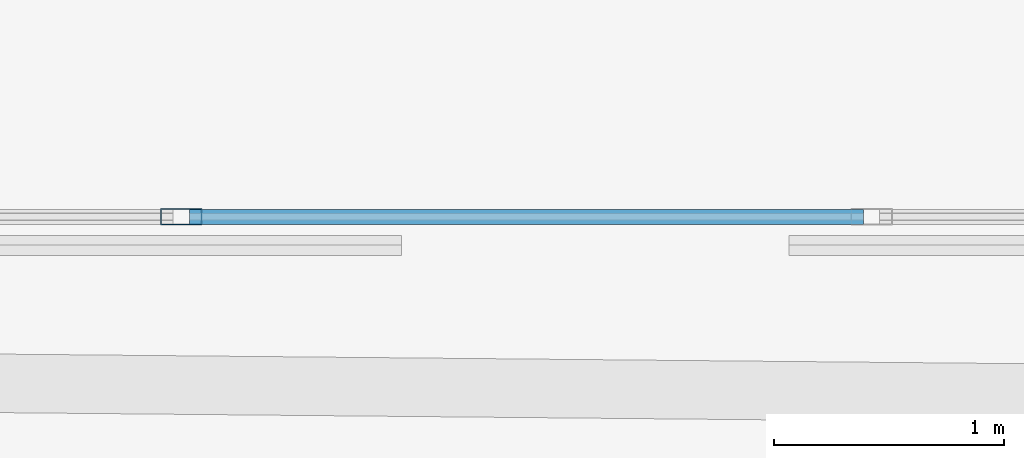
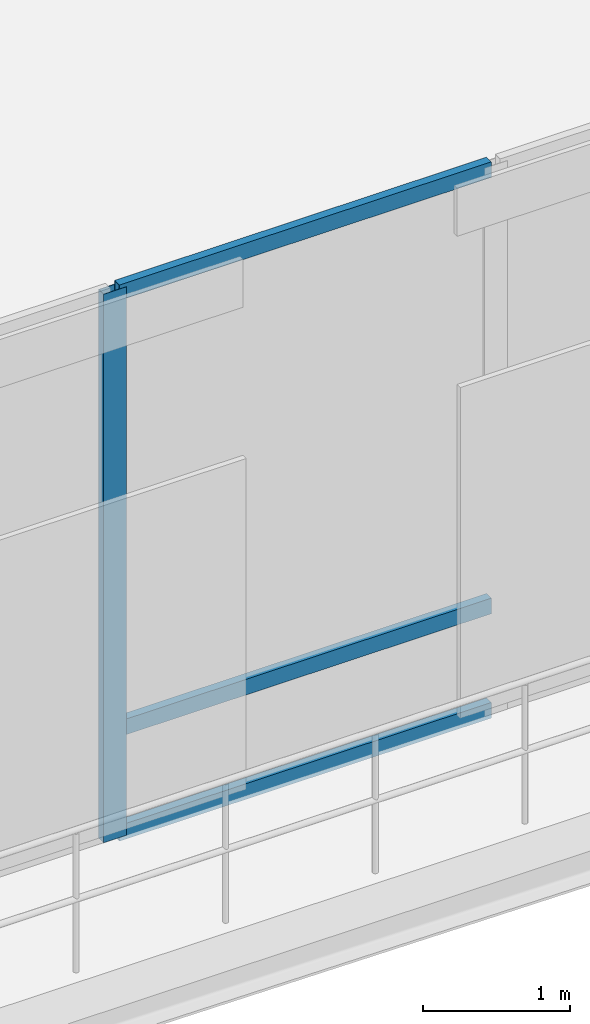
# One storey, part 17 of 48: 4 members, 1 element without a shape of its own.
"""IFC4 building model written with IfcOpenShell, lengths in metres."""

from ifc_helpers import new_model, si_unit, direction, frame, origin, origin_2d, place, context, subcontext, project, spatial, hollow_rectangle, extrude, material, layer, layer_set, material_profile, profile_set, type_object, element, aggregate, save


model = new_model("IFC4")

# Units and contexts
model_context = context("Model", 3, precision=1e-05, world=origin(), true_north=direction((0.0, 1.0)))
body_context = subcontext(model_context, "Body", "Model", "MODEL_VIEW")
ifc_project = project(units=[si_unit("LENGTHUNIT", "METRE"), si_unit("AREAUNIT", "SQUARE_METRE"), si_unit("VOLUMEUNIT", "CUBIC_METRE"), si_unit("PLANEANGLEUNIT", "RADIAN"), si_unit("MASSUNIT", "GRAM", prefix="KILO")], contexts=[model_context])

# Site, building, storey
site_placement = place(None, origin())
site = spatial("IfcSite", under=ifc_project, at=site_placement, CompositionType="ELEMENT")
building_placement = place(site_placement, origin())
building = spatial("IfcBuilding", under=site, at=building_placement, Name="Caelvoria Tower", CompositionType="ELEMENT")
storey_placement = place(building_placement, frame((0.0, 0.0, 90.39990234375)))
storey = spatial("IfcBuildingStorey", under=building, at=storey_placement, Name="L23", CompositionType="ELEMENT", Elevation=90.39990234375)

# Curtain wall, members
ifc_material_1 = material(Name="Anodised Bronze Aluminium and Low-E Glass", Category="aluminium")
ifc_layer = layer(ifc_material_1, 0.2099609375, Name="Anodised Bronze Aluminium and Low-E Glass")
ifc_layer_set = layer_set([ifc_layer], Name="CW System 3 Sky Lobby Double-Height Acoustic Facade - Anodised Bronze Aluminium and Low-E Glass")
curtain_wall_type = type_object("IfcCurtainWallType", Name="CW System 3 Sky Lobby Double-Height Acoustic Facade", PredefinedType="NOTDEFINED", material=ifc_layer_set)
curtain_wall_placement = place(storey_placement, origin())
curtain_wall = element("IfcCurtainWall", 1, at=curtain_wall_placement, inside=storey, type_object=curtain_wall_type, Name="CW-03 Curtain Wall L23-E0", PredefinedType="NOTDEFINED")
ifc_material_2 = material(Name="Anodised Bronze Architectural Aluminium", Category="aluminium")
ifc_material_profile_1 = material_profile(ifc_material_2, hollow_rectangle(XDim=0.070068359375, YDim=0.179931640625, WallThickness=0.00390625, at=origin_2d()), Name="Anodised Bronze Architectural Aluminium")
ifc_profile_set_1 = profile_set([ifc_material_profile_1], Name="CW_MULL_70X180 - Anodised Bronze Architectural Aluminium")
member_type_1 = type_object("IfcMemberType", Name="Curtain Wall Mullion 70x180 Bronze Aluminium", PredefinedType="MULLION", material=ifc_profile_set_1)
member_1_placement = place(storey_placement, frame((53.4873046875, 11.0966796875, 0.0), z_axis=(0.0, 0.0, 1.0), x_axis=(0.0, 1.0, 0.0)))
member_1 = element("IfcMember", 2, at=member_1_placement, type_object=member_type_1, Name="CW-03 mullion 10", PredefinedType="MULLION", context=body_context, shape_type="SweptSolid", body=[
    extrude(hollow_rectangle(XDim=0.070068359375, YDim=0.179931640625, WallThickness=0.00390625, at=origin_2d()), origin(), (0.0, 0.0, 1.0), 4.56005859375),
])
ifc_material_profile_2 = material_profile(ifc_material_2, hollow_rectangle(XDim=0.06494140625, YDim=0.1298828125, WallThickness=0.00341796875, at=origin_2d()), Name="Anodised Bronze Architectural Aluminium")
ifc_profile_set_2 = profile_set([ifc_material_profile_2], Name="CW_TRAN_65X130 - Anodised Bronze Architectural Aluminium")
member_type_2 = type_object("IfcMemberType", Name="Curtain Wall Transom 65x130 Bronze Aluminium", PredefinedType="USERDEFINED", material=ifc_profile_set_2)
member_2_placement = place(storey_placement, frame((53.522216796875, 11.0966796875, 0.03271484375), z_axis=(1.0, 0.0, 0.0), x_axis=(0.0, 1.0, 0.0)))
member_2 = element("IfcMember", 3, at=member_2_placement, type_object=member_type_2, Name="CW-03 transom 10.1", ObjectType="TRANSOM", PredefinedType="USERDEFINED", context=body_context, shape_type="SweptSolid", body=[
    extrude(hollow_rectangle(XDim=0.06494140625, YDim=0.1298828125, WallThickness=0.00341796875, at=origin_2d()), origin(), (0.0, 0.0, 1.0), 2.9248046875),
])
member_3_placement = place(storey_placement, frame((53.522216796875, 11.0966796875, 0.900146484375), z_axis=(1.0, 0.0, 0.0), x_axis=(0.0, 1.0, 0.0)))
member_3 = element("IfcMember", 4, at=member_3_placement, type_object=member_type_2, Name="CW-03 transom 10.2", ObjectType="TRANSOM", PredefinedType="USERDEFINED", context=body_context, shape_type="SweptSolid", body=[
    extrude(hollow_rectangle(XDim=0.06494140625, YDim=0.1298828125, WallThickness=0.00341796875, at=origin_2d()), origin(), (0.0, 0.0, 1.0), 2.9248046875),
])
member_4_placement = place(storey_placement, frame((53.522216796875, 11.0966796875, 4.527587890625), z_axis=(1.0, 0.0, 0.0), x_axis=(0.0, 1.0, 0.0)))
member_4 = element("IfcMember", 5, at=member_4_placement, type_object=member_type_2, Name="CW-03 transom 10.3", ObjectType="TRANSOM", PredefinedType="USERDEFINED", context=body_context, shape_type="SweptSolid", body=[
    extrude(hollow_rectangle(XDim=0.06494140625, YDim=0.1298828125, WallThickness=0.00341796875, at=origin_2d()), origin(), (0.0, 0.0, 1.0), 2.9248046875),
])
aggregate(curtain_wall, [member_1, member_2, member_3, member_4])

save(model, "model.ifc")
